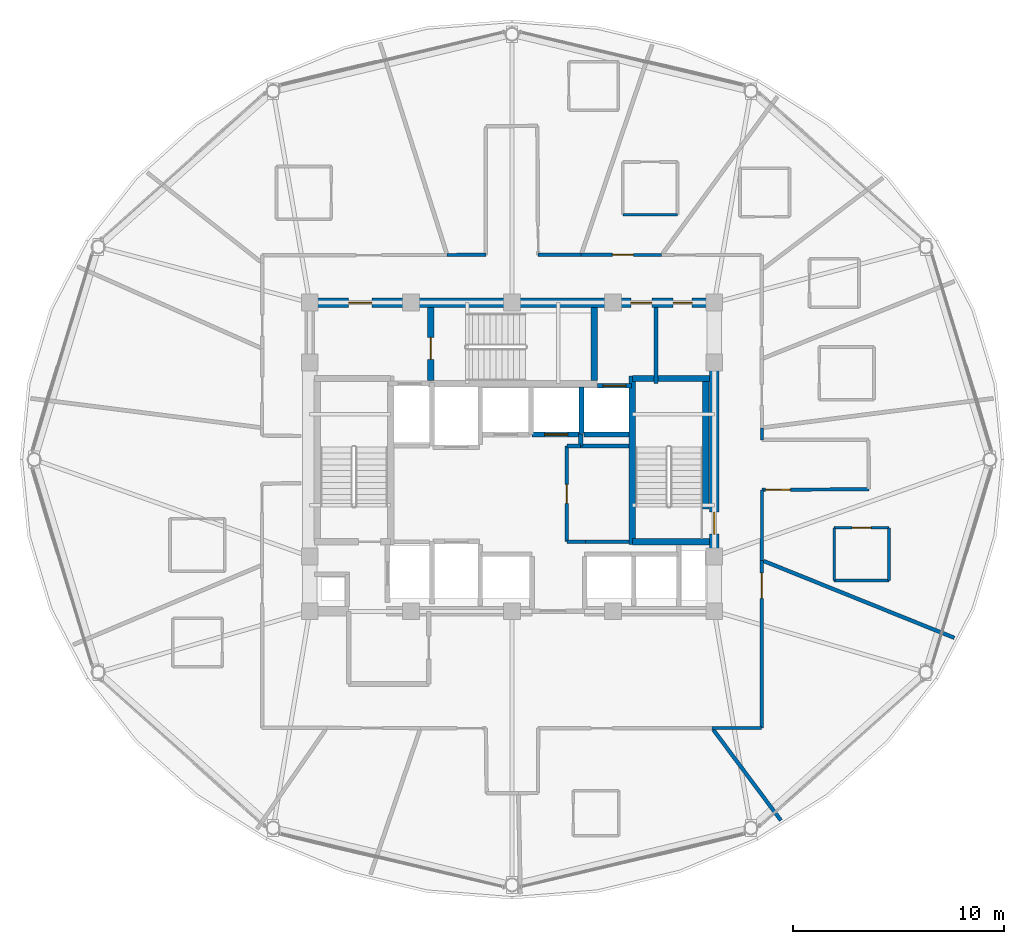
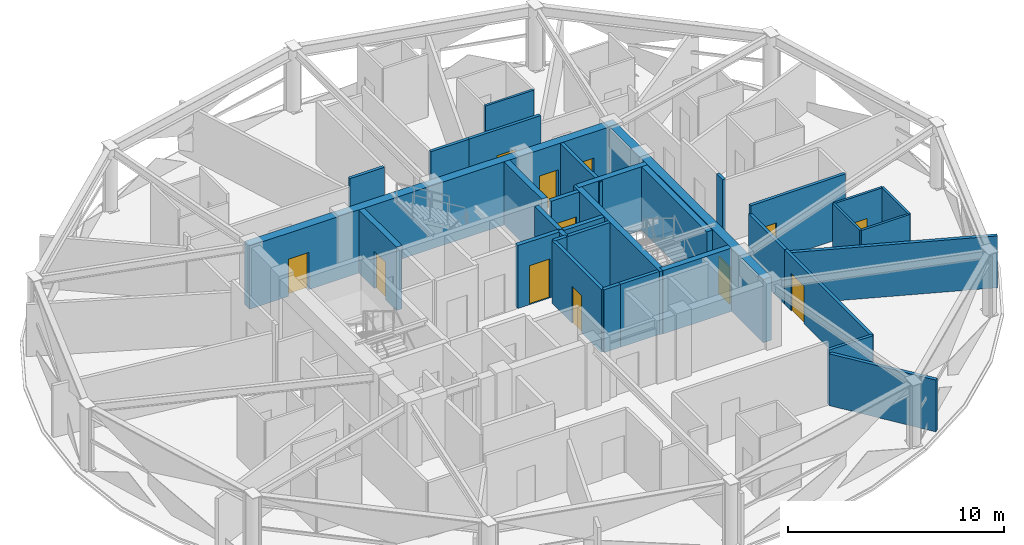
# One storey, part 24 of 30: 34 walls, 12 doors, 12 openings.
"""IFC4 building model written with IfcOpenShell, lengths in metres."""

from ifc_helpers import new_model, si_unit, direction, frame, frame_2d, origin, place, context, subcontext, project, spatial, rectangle, extrude, material, layer, layer_set, type_object, element, fill, save


model = new_model("IFC4")

# Units and contexts
model_context = context("Model", 3, precision=1e-05, world=origin(), true_north=direction((0.0, 1.0)))
body_context = subcontext(model_context, "Body", "Model", "MODEL_VIEW")
ifc_project = project(units=[si_unit("LENGTHUNIT", "METRE"), si_unit("AREAUNIT", "SQUARE_METRE"), si_unit("VOLUMEUNIT", "CUBIC_METRE"), si_unit("PLANEANGLEUNIT", "RADIAN"), si_unit("MASSUNIT", "GRAM", prefix="KILO")], contexts=[model_context])

# Site, building, storey
site_placement = place(None, origin())
site = spatial("IfcSite", under=ifc_project, at=site_placement, CompositionType="ELEMENT")
building_placement = place(site_placement, origin())
building = spatial("IfcBuilding", under=site, at=building_placement, Name="Vantalir Tower", CompositionType="ELEMENT")
storey_placement = place(building_placement, frame((0.0, 0.0, 193.64990234375)))
storey = spatial("IfcBuildingStorey", under=building, at=storey_placement, Name="L48", CompositionType="ELEMENT", Elevation=193.64990234375)

# Walls
ifc_material_1 = material(Name="Moisture-resistant en-suite partition", Category="gypsum")
ifc_layer_1 = layer(ifc_material_1, 0.125)
ifc_layer_set_1 = layer_set([ifc_layer_1], Name="Moisture-resistant en-suite partition")
wall_type_1 = type_object("IfcWallType", Name="WL-BATH-125", PredefinedType="PARTITIONING", material=ifc_layer_set_1)
wall_1_placement = place(storey_placement, frame((36.757080078125, 36.625, 0.0), z_axis=(0.0, 0.0, 1.0), x_axis=(1.0, 0.0, 0.0)))
element("IfcWall", 1, at=wall_1_placement, inside=storey, type_object=wall_type_1, Name="L48 En-suite 04 South Wall", PredefinedType="PARTITIONING", context=body_context, shape_type="SweptSolid", body=[
    extrude(rectangle(XDim=2.599853515625, YDim=0.125, at=frame_2d((1.2998046875, 0.0))), origin(), (0.0, 0.0, 1.0), 3.550048828125),
])
wall_2_placement = place(storey_placement, frame((46.7939453125, 19.260986328125, 0.0), z_axis=(0.0, 0.0, 1.0), x_axis=(1.0, 0.0, 0.0)))
element("IfcWall", 2, at=wall_2_placement, inside=storey, type_object=wall_type_1, Name="L48 En-suite 15 South Wall", PredefinedType="PARTITIONING", context=body_context, shape_type="SweptSolid", body=[
    extrude(rectangle(XDim=2.60009765625, YDim=0.125, at=frame_2d((1.300048828125, 0.0))), origin(), (0.0, 0.0, 1.0), 3.550048828125),
])

# Wall, opening, door
wall_3_placement = place(storey_placement, frame((46.7939453125, 21.760986328125, 0.0), z_axis=(0.0, 0.0, 1.0), x_axis=(1.0, 0.0, 0.0)))
wall_3 = element("IfcWall", 3, at=wall_3_placement, inside=storey, type_object=wall_type_1, Name="L48 En-suite 15 North Wall", PredefinedType="PARTITIONING", context=body_context, shape_type="SweptSolid", body=[
    extrude(rectangle(XDim=2.60009765625, YDim=0.125, at=frame_2d((1.300048828125, 0.0))), origin(), (0.0, 0.0, 1.0), 3.550048828125),
])
opening_1_placement = place(wall_3_placement, frame((0.85009765625, 0.0, 0.0)))
opening_1 = element("IfcOpeningElement", 4, at=opening_1_placement, cuts=wall_3, Name="Opening D-WC", PredefinedType="OPENING", context=body_context, shape_type="SweptSolid", body=[
    extrude(rectangle(XDim=0.89990234375, YDim=2.10009765625, at=frame_2d((0.449951171875, 1.050048828125))), frame((0.0, 0.072509765625, 0.0), z_axis=(0.0, -1.0, 0.0), x_axis=(1.0, 0.0, 0.0)), (0.0, 0.0, 1.0), 0.14501953125),
])
ifc_material_2 = material(Name="Moisture-resistant hardwood door", Category="wood")
door_type_1 = type_object("IfcDoorType", Name="DR-ENSUITE-900", OperationType="NOTDEFINED", PredefinedType="DOOR", material=ifc_material_2)
door_1_placement = place(opening_1_placement, frame((0.89990234375, 0.0, 0.0), z_axis=(0.0, 0.0, 1.0), x_axis=(-1.0, 0.0, 0.0)))
door_1 = element("IfcDoor", 5, at=door_1_placement, inside=storey, type_object=door_type_1, Name="L48 En-suite 15 Door", OperationType="SINGLE_SWING_RIGHT", OverallHeight=2.10009765625, OverallWidth=0.89990234375, PredefinedType="DOOR", context=body_context, shape_type="SweptSolid", body=[
    extrude(rectangle(XDim=0.89990234375, YDim=2.10009765625, at=frame_2d((0.449951171875, 1.050048828125))), frame((0.0, 0.02490234375, 0.0), z_axis=(0.0, -1.0, 0.0), x_axis=(1.0, 0.0, 0.0)), (0.0, 0.0, 1.0), 0.050048828125),
])
fill(opening_1, door_1)

# Walls
for number, where, z_axis, x_axis, name in (
    (6, (46.7939453125, 19.260986328125, 0.0), (0.0, 0.0, 1.0), (0.0, 1.0, 0.0), "L48 En-suite 15 West Wall"),
    (7, (49.39404296875, 19.260986328125, 0.0), (0.0, 0.0, 1.0), (0.0, 1.0, 0.0), "L48 En-suite 15 East Wall"),
):
    element("IfcWall", number, at=place(storey_placement, frame(where, z_axis=z_axis, x_axis=x_axis)), inside=storey, type_object=wall_type_1, Name=name, PredefinedType="PARTITIONING", context=body_context, shape_type="SweptSolid", body=[
        extrude(rectangle(XDim=2.5, YDim=0.125, at=frame_2d((1.25, 0.0))), origin(), (0.0, 0.0, 1.0), 3.550048828125),
    ])

# Wall, openings, doors
ifc_material_3 = material(Name="Concrete C50/60", Category="concrete")
ifc_layer_2 = layer(ifc_material_3, 0.449951171875)
ifc_layer_set_2 = layer_set([ifc_layer_2], Name="Concrete C50/60")
wall_type_2 = type_object("IfcWallType", Name="WL-CORE-450", PredefinedType="SHEAR", material=ifc_layer_set_2)
wall_4_placement = place(storey_placement, frame((21.675048828125, 32.449951171875, 0.0), z_axis=(0.0, 0.0, 1.0), x_axis=(1.0, 0.0, 0.0)))
wall_4 = element("IfcWall", 8, at=wall_4_placement, inside=storey, type_object=wall_type_2, Name="L48 Core Shear Wall North", PredefinedType="SHEAR", context=body_context, shape_type="SweptSolid", body=[
    extrude(rectangle(XDim=19.64990234375, YDim=0.449951171875, at=frame_2d((9.824951171875, 0.0))), origin(), (0.0, 0.0, 1.0), 3.570068359375),
])
opening_2_placement = place(wall_4_placement, frame((2.074951171875, 0.0, 0.0)))
opening_2 = element("IfcOpeningElement", 9, at=opening_2_placement, cuts=wall_4, Name="Opening D-FFL", PredefinedType="OPENING", context=body_context, shape_type="SweptSolid", body=[
    extrude(rectangle(XDim=1.10009765625, YDim=2.10009765625, at=frame_2d((0.550048828125, 1.050048828125))), frame((0.0, 0.23486328125, 0.0), z_axis=(0.0, -1.0, 0.0), x_axis=(1.0, 0.0, 0.0)), (0.0, 0.0, 1.0), 0.469970703125),
])
opening_3_placement = place(wall_4_placement, frame((15.465087890625, 0.0, 0.0)))
opening_3 = element("IfcOpeningElement", 10, at=opening_3_placement, cuts=wall_4, Name="Opening D-GUEST", PredefinedType="OPENING", context=body_context, shape_type="SweptSolid", body=[
    extrude(rectangle(XDim=1.0, YDim=2.10009765625, at=frame_2d((0.5, 1.050048828125))), frame((0.0, 0.23486328125, 0.0), z_axis=(0.0, -1.0, 0.0), x_axis=(1.0, 0.0, 0.0)), (0.0, 0.0, 1.0), 0.469970703125),
])
opening_4_placement = place(wall_4_placement, frame((17.47509765625, 0.0, 0.0)))
opening_4 = element("IfcOpeningElement", 11, at=opening_4_placement, cuts=wall_4, Name="Opening D-CR", PredefinedType="OPENING", context=body_context, shape_type="SweptSolid", body=[
    extrude(rectangle(XDim=0.89990234375, YDim=2.10009765625, at=frame_2d((0.449951171875, 1.050048828125))), frame((0.0, 0.23486328125, 0.0), z_axis=(0.0, -1.0, 0.0), x_axis=(1.0, 0.0, 0.0)), (0.0, 0.0, 1.0), 0.469970703125),
])
ifc_material_4 = material(Name="Fire-rated steel core service door", Category="steel")
door_type_2 = type_object("IfcDoorType", Name="DR-CORE-SERV-900", OperationType="NOTDEFINED", PredefinedType="DOOR", material=ifc_material_4)
door_2_placement = place(opening_4_placement, frame((0.89990234375, 0.0, 0.0), z_axis=(0.0, 0.0, 1.0), x_axis=(-1.0, 0.0, 0.0)))
door_2 = element("IfcDoor", 12, at=door_2_placement, inside=storey, type_object=door_type_2, Name="L48 Housekeeping and Linen Room Door", OperationType="SINGLE_SWING_RIGHT", OverallHeight=2.10009765625, OverallWidth=0.89990234375, PredefinedType="DOOR", context=body_context, shape_type="SweptSolid", body=[
    extrude(rectangle(XDim=0.89990234375, YDim=2.10009765625, at=frame_2d((0.449951171875, 1.050048828125))), frame((0.0, 0.02490234375, 0.0), z_axis=(0.0, -1.0, 0.0), x_axis=(1.0, 0.0, 0.0)), (0.0, 0.0, 1.0), 0.050048828125),
])
fill(opening_4, door_2)
ifc_material_5 = material(Name="Fire-rated acoustic steel door", Category="steel")
door_type_3 = type_object("IfcDoorType", Name="DR-FIRE-LOBBY-1100", OperationType="NOTDEFINED", PredefinedType="DOOR", material=ifc_material_5)
door_3_placement = place(opening_2_placement, frame((1.10009765625, 0.0, 0.0), z_axis=(0.0, 0.0, 1.0), x_axis=(-1.0, 0.0, 0.0)))
door_3 = element("IfcDoor", 13, at=door_3_placement, inside=storey, type_object=door_type_3, Name="L48 Firefighting Lobby East Access Door", OperationType="SINGLE_SWING_RIGHT", OverallHeight=2.10009765625, OverallWidth=1.10009765625, PredefinedType="DOOR", context=body_context, shape_type="SweptSolid", body=[
    extrude(rectangle(XDim=1.10009765625, YDim=2.10009765625, at=frame_2d((0.550048828125, 1.050048828125))), frame((0.0, 0.02490234375, 0.0), z_axis=(0.0, -1.0, 0.0), x_axis=(1.0, 0.0, 0.0)), (0.0, 0.0, 1.0), 0.050048828125),
])
fill(opening_2, door_3)
ifc_material_6 = material(Name="Solid-core teak veneer acoustic fire door", Category="wood")
door_type_4 = type_object("IfcDoorType", Name="DR-GUEST-ENTRY-1000", OperationType="NOTDEFINED", PredefinedType="DOOR", material=ifc_material_6)
door_4_placement = place(opening_3_placement, frame((1.0, 0.0, 0.0), z_axis=(0.0, 0.0, 1.0), x_axis=(-1.0, 0.0, 0.0)))
door_4 = element("IfcDoor", 14, at=door_4_placement, inside=storey, type_object=door_type_4, Name="L48 High-Rise Lift Lobby Door", OperationType="SINGLE_SWING_LEFT", OverallHeight=2.10009765625, OverallWidth=1.0, PredefinedType="DOOR", context=body_context, shape_type="SweptSolid", body=[
    extrude(rectangle(XDim=1.0, YDim=2.10009765625, at=frame_2d((0.5, 1.050048828125))), frame((0.0, 0.02490234375, 0.0), z_axis=(0.0, -1.0, 0.0), x_axis=(1.0, 0.0, 0.0)), (0.0, 0.0, 1.0), 0.050048828125),
])
fill(opening_3, door_4)

# Wall, opening, door
wall_5_placement = place(storey_placement, frame((41.10009765625, 18.02490234375, 0.0), z_axis=(0.0, 0.0, 1.0), x_axis=(0.0, 1.0, 0.0)))
wall_5 = element("IfcWall", 15, at=wall_5_placement, inside=storey, type_object=wall_type_2, Name="L48 Core Shear Wall East", PredefinedType="SHEAR", context=body_context, shape_type="SweptSolid", body=[
    extrude(rectangle(XDim=14.2001953125, YDim=0.449951171875, at=frame_2d((7.10009765625, 0.0))), origin(), (0.0, 0.0, 1.0), 3.570068359375),
])
opening_5_placement = place(wall_5_placement, frame((3.43505859375, 0.0, 0.0)))
opening_5 = element("IfcOpeningElement", 16, at=opening_5_placement, cuts=wall_5, Name="Opening D-ST", PredefinedType="OPENING", context=body_context, shape_type="SweptSolid", body=[
    extrude(rectangle(XDim=1.050048828125, YDim=2.10009765625, at=frame_2d((0.52490234375, 1.050048828125))), frame((0.0, 0.23486328125, 0.0), z_axis=(0.0, -1.0, 0.0), x_axis=(1.0, 0.0, 0.0)), (0.0, 0.0, 1.0), 0.469970703125),
])
ifc_material_7 = material(Name="Fire-rated steel door leaf", Category="steel")
door_type_5 = type_object("IfcDoorType", Name="DR-FIRE-STAIR-1050", OperationType="NOTDEFINED", PredefinedType="DOOR", material=ifc_material_7)
door_5_placement = place(opening_5_placement, origin())
door_5 = element("IfcDoor", 17, at=door_5_placement, inside=storey, type_object=door_type_5, Name="L48 Exit Stair ST2 Fire Door", OperationType="SINGLE_SWING_LEFT", OverallHeight=2.10009765625, OverallWidth=1.050048828125, PredefinedType="DOOR", context=body_context, shape_type="SweptSolid", body=[
    extrude(rectangle(XDim=1.050048828125, YDim=2.10009765625, at=frame_2d((0.52490234375, 1.050048828125))), frame((0.0, 0.02490234375, 0.0), z_axis=(0.0, -1.0, 0.0), x_axis=(1.0, 0.0, 0.0)), (0.0, 0.0, 1.0), 0.050048828125),
])
fill(opening_5, door_5)

# Walls
ifc_material_8 = material(Name="Fire-rated hotel corridor acoustic partition", Category="gypsum")
ifc_layer_3 = layer(ifc_material_8, 0.159912109375)
ifc_layer_set_3 = layer_set([ifc_layer_3], Name="Fire-rated hotel corridor acoustic partition")
wall_type_3 = type_object("IfcWallType", Name="WL-CORR-160", PredefinedType="PARTITIONING", material=ifc_layer_set_3)
wall_6_placement = place(storey_placement, frame((28.423095703125, 34.7119140625, 0.0), z_axis=(0.0, 0.0, 1.0), x_axis=(0.999998507349, 0.00172780178, 0.0)))
element("IfcWall", 18, at=wall_6_placement, inside=storey, type_object=wall_type_3, Name="L48 Corridor Partition 07", PredefinedType="PARTITIONING", context=body_context, shape_type="SweptSolid", body=[
    extrude(rectangle(XDim=1.8369140625, YDim=0.159912109375, at=frame_2d((0.91845703125, 0.0))), origin(), (0.0, 0.0, 1.0), 3.550048828125),
])
wall_7_placement = place(storey_placement, frame((32.739990234375, 34.715087890625, 0.0), z_axis=(0.0, 0.0, 1.0), x_axis=(0.999999885534, -0.000478468845, 0.0)))
element("IfcWall", 19, at=wall_7_placement, inside=storey, type_object=wall_type_3, Name="L48 Corridor Partition 11", PredefinedType="PARTITIONING", context=body_context, shape_type="SweptSolid", body=[
    extrude(rectangle(XDim=2.041015625, YDim=0.159912109375, at=frame_2d((1.0205078125, 0.0))), origin(), (0.0, 0.0, 1.0), 3.550048828125),
])

# Wall, opening, door
wall_8_placement = place(storey_placement, frame((34.781005859375, 34.714111328125, 0.0), z_axis=(0.0, 0.0, 1.0), x_axis=(0.999999654861, -0.000830829904, 0.0)))
wall_8 = element("IfcWall", 20, at=wall_8_placement, inside=storey, type_object=wall_type_3, Name="L48 Corridor Partition 12", PredefinedType="PARTITIONING", context=body_context, shape_type="SweptSolid", body=[
    extrude(rectangle(XDim=3.820068359375, YDim=0.159912109375, at=frame_2d((1.91015625, 0.0))), origin(), (0.0, 0.0, 1.0), 3.550048828125),
])
opening_6_placement = place(wall_8_placement, frame((1.48388671875, 0.0, 0.0)))
opening_6 = element("IfcOpeningElement", 21, at=opening_6_placement, cuts=wall_8, Name="Opening D-GUEST", PredefinedType="OPENING", context=body_context, shape_type="SweptSolid", body=[
    extrude(rectangle(XDim=1.0, YDim=2.10009765625, at=frame_2d((0.5, 1.050048828125))), frame((0.0, 0.08984375, 0.0), z_axis=(0.0, -1.0, 0.0), x_axis=(1.0, 0.0, 0.0)), (0.0, 0.0, 1.0), 0.179931640625),
])
door_6_placement = place(opening_6_placement, origin())
door_6 = element("IfcDoor", 22, at=door_6_placement, inside=storey, type_object=door_type_4, Name="L48 Twin Queen Hotel Room 04 Door", OperationType="SINGLE_SWING_RIGHT", OverallHeight=2.10009765625, OverallWidth=1.0, PredefinedType="DOOR", context=body_context, shape_type="SweptSolid", body=[
    extrude(rectangle(XDim=1.0, YDim=2.10009765625, at=frame_2d((0.5, 1.050048828125))), frame((0.0, 0.02490234375, 0.0), z_axis=(0.0, -1.0, 0.0), x_axis=(1.0, 0.0, 0.0)), (0.0, 0.0, 1.0), 0.050048828125),
])
fill(opening_6, door_6)

# Wall
wall_9_placement = place(storey_placement, frame((43.364013671875, 26.509033203125, 0.0), z_axis=(0.0, 0.0, 1.0), x_axis=(0.001715999189, -0.999998527672, 0.0)))
element("IfcWall", 23, at=wall_9_placement, inside=storey, type_object=wall_type_3, Name="L48 Corridor Partition 17", PredefinedType="PARTITIONING", context=body_context, shape_type="SweptSolid", body=[
    extrude(rectangle(XDim=0.569091796875, YDim=0.159912109375, at=frame_2d((0.28466796875, 0.0))), origin(), (0.0, 0.0, 1.0), 3.550048828125),
])

# Wall, opening, door
wall_10_placement = place(storey_placement, frame((48.43994140625, 23.595947265625, 0.0), z_axis=(0.0, 0.0, 1.0), x_axis=(-0.999974996273, -0.007071550702, 0.0)))
wall_10 = element("IfcWall", 24, at=wall_10_placement, inside=storey, type_object=wall_type_3, Name="L48 Corridor Partition 20", PredefinedType="PARTITIONING", context=body_context, shape_type="SweptSolid", body=[
    extrude(rectangle(XDim=5.0751953125, YDim=0.159912109375, at=frame_2d((2.53759765625, 0.0))), origin(), (0.0, 0.0, 1.0), 3.550048828125),
])
opening_7_placement = place(wall_10_placement, frame((3.715087890625, 0.0, 0.0)))
opening_7 = element("IfcOpeningElement", 25, at=opening_7_placement, cuts=wall_10, Name="Opening D-STE", PredefinedType="OPENING", context=body_context, shape_type="SweptSolid", body=[
    extrude(rectangle(XDim=1.199951171875, YDim=2.10009765625, at=frame_2d((0.60009765625, 1.050048828125))), frame((0.0, 0.08984375, 0.0), z_axis=(0.0, -1.0, 0.0), x_axis=(1.0, 0.0, 0.0)), (0.0, 0.0, 1.0), 0.179931640625),
])
ifc_material_9 = material(Name="Solid-core teak veneer suite entrance door", Category="wood")
door_type_6 = type_object("IfcDoorType", Name="DR-SUITE-ENTRY-1200", OperationType="NOTDEFINED", PredefinedType="DOOR", material=ifc_material_9)
door_7_placement = place(opening_7_placement, origin())
door_7 = element("IfcDoor", 26, at=door_7_placement, inside=storey, type_object=door_type_6, Name="L48 Corner Panorama Hotel Suite 15 Door", OperationType="SINGLE_SWING_LEFT", OverallHeight=2.10009765625, OverallWidth=1.199951171875, PredefinedType="DOOR", context=body_context, shape_type="SweptSolid", body=[
    extrude(rectangle(XDim=1.199951171875, YDim=2.10009765625, at=frame_2d((0.60009765625, 1.050048828125))), frame((0.0, 0.02490234375, 0.0), z_axis=(0.0, -1.0, 0.0), x_axis=(1.0, 0.0, 0.0)), (0.0, 0.0, 1.0), 0.050048828125),
])
fill(opening_7, door_7)

# Wall
wall_11_placement = place(storey_placement, frame((43.364990234375, 23.56005859375, 0.0), z_axis=(0.0, 0.0, 1.0), x_axis=(-0.001169504353, -0.99999931613, 0.0)))
element("IfcWall", 27, at=wall_11_placement, inside=storey, type_object=wall_type_3, Name="L48 Corridor Partition 21", PredefinedType="PARTITIONING", context=body_context, shape_type="SweptSolid", body=[
    extrude(rectangle(XDim=3.340087890625, YDim=0.159912109375, at=frame_2d((1.669921875, 0.0))), origin(), (0.0, 0.0, 1.0), 3.0810546875),
])

# Wall, opening, door
wall_12_placement = place(storey_placement, frame((43.361083984375, 20.219970703125, 0.0), z_axis=(0.0, 0.0, 1.0), x_axis=(-0.001380028127, -0.999999047761, 0.0)))
wall_12 = element("IfcWall", 28, at=wall_12_placement, inside=storey, type_object=wall_type_3, Name="L48 Corridor Partition 22", PredefinedType="PARTITIONING", context=body_context, shape_type="SweptSolid", body=[
    extrude(rectangle(XDim=7.9609375, YDim=0.159912109375, at=frame_2d((3.98046875, 0.0))), origin(), (0.0, 0.0, 1.0), 3.0810546875),
])
opening_8_placement = place(wall_12_placement, frame((0.60888671875, 0.0, 0.0)))
opening_8 = element("IfcOpeningElement", 29, at=opening_8_placement, cuts=wall_12, Name="Opening D-STE", PredefinedType="OPENING", context=body_context, shape_type="SweptSolid", body=[
    extrude(rectangle(XDim=1.199951171875, YDim=2.10009765625, at=frame_2d((0.60009765625, 1.050048828125))), frame((0.0, 0.08984375, 0.0), z_axis=(0.0, -1.0, 0.0), x_axis=(1.0, 0.0, 0.0)), (0.0, 0.0, 1.0), 0.179931640625),
])
door_8_placement = place(opening_8_placement, origin())
door_8 = element("IfcDoor", 30, at=door_8_placement, inside=storey, type_object=door_type_6, Name="L48 Club Reading Lounge 14 Door", OperationType="SINGLE_SWING_RIGHT", OverallHeight=2.10009765625, OverallWidth=1.199951171875, PredefinedType="DOOR", context=body_context, shape_type="SweptSolid", body=[
    extrude(rectangle(XDim=1.199951171875, YDim=2.10009765625, at=frame_2d((0.60009765625, 1.050048828125))), frame((0.0, 0.02490234375, 0.0), z_axis=(0.0, -1.0, 0.0), x_axis=(1.0, 0.0, 0.0)), (0.0, 0.0, 1.0), 0.050048828125),
])
fill(opening_8, door_8)

# Walls
wall_13_placement = place(storey_placement, frame((43.35009765625, 12.259033203125, 0.0), z_axis=(0.0, 0.0, 1.0), x_axis=(-0.999999655796, -0.000829703095, 0.0)))
element("IfcWall", 31, at=wall_13_placement, inside=storey, type_object=wall_type_3, Name="L48 Corridor Partition 23", PredefinedType="PARTITIONING", context=body_context, shape_type="SweptSolid", body=[
    extrude(rectangle(XDim=2.35400390625, YDim=0.159912109375, at=frame_2d((1.177001953125, 0.0))), origin(), (0.0, 0.0, 1.0), 3.0810546875),
])
ifc_material_10 = material(Name="Concrete blockwork with fireboard lining", Category="masonry")
ifc_layer_4 = layer(ifc_material_10, 0.219970703125)
ifc_layer_set_4 = layer_set([ifc_layer_4], Name="Concrete blockwork with fireboard lining")
wall_type_4 = type_object("IfcWallType", Name="WL-FFL-220", PredefinedType="PARTITIONING", material=ifc_layer_set_4)
wall_14_placement = place(storey_placement, frame((34.800048828125, 26.22998046875, 0.0), z_axis=(0.0, 0.0, 1.0), x_axis=(0.0, 1.0, 0.0)))
element("IfcWall", 32, at=wall_14_placement, inside=storey, type_object=wall_type_4, Name="L48 High-Rise Lift PL-H2/H3 Shaft Divider", PredefinedType="PARTITIONING", context=body_context, shape_type="SweptSolid", body=[
    extrude(rectangle(XDim=2.2099609375, YDim=0.219970703125, at=frame_2d((1.10498046875, 0.0))), origin(), (0.0, 0.0, 1.0), 3.545166015625),
])
wall_15_placement = place(storey_placement, frame((34.909912109375, 26.18994140625, 0.0), z_axis=(0.0, 0.0, 1.0), x_axis=(1.0, 0.0, 0.0)))
element("IfcWall", 33, at=wall_15_placement, inside=storey, type_object=wall_type_4, Name="L48 High-Rise Lift PL-H3 Rear Shaft Wall", PredefinedType="PARTITIONING", context=body_context, shape_type="SweptSolid", body=[
    extrude(rectangle(XDim=2.14013671875, YDim=0.219970703125, at=frame_2d((1.070068359375, 0.0))), origin(), (0.0, 0.0, 1.0), 3.545166015625),
])

# Wall, opening, door
wall_16_placement = place(storey_placement, frame((32.43994140625, 26.18994140625, 0.0), z_axis=(0.0, 0.0, 1.0), x_axis=(1.0, 0.0, 0.0)))
wall_16 = element("IfcWall", 34, at=wall_16_placement, inside=storey, type_object=wall_type_4, Name="L48 Lift PL-H2 Shaft Front Wall", PredefinedType="PARTITIONING", context=body_context, shape_type="SweptSolid", body=[
    extrude(rectangle(XDim=2.320068359375, YDim=0.219970703125, at=frame_2d((1.16015625, 0.0))), origin(), (0.0, 0.0, 1.0), 3.550048828125),
])
opening_9_placement = place(wall_16_placement, frame((0.610107421875, 0.0, 0.0)))
opening_9 = element("IfcOpeningElement", 35, at=opening_9_placement, cuts=wall_16, Name="Opening LD-PL-H2", PredefinedType="OPENING", context=body_context, shape_type="SweptSolid", body=[
    extrude(rectangle(XDim=1.10009765625, YDim=2.199951171875, at=frame_2d((0.550048828125, 1.10009765625))), frame((0.0, 0.119873046875, 0.0), z_axis=(0.0, -1.0, 0.0), x_axis=(1.0, 0.0, 0.0)), (0.0, 0.0, 1.0), 0.239990234375),
])
ifc_material_11 = material(Name="Brushed stainless-steel sliding lift landing door", Category="steel")
door_type_7 = type_object("IfcDoorType", Name="DR-LIFT-LANDING-1100", OperationType="DOUBLE_DOOR_SLIDING", PredefinedType="DOOR", material=ifc_material_11)
door_9_placement = place(opening_9_placement, frame((1.10009765625, 0.0, 0.0), z_axis=(0.0, 0.0, 1.0), x_axis=(-1.0, 0.0, 0.0)))
door_9 = element("IfcDoor", 36, at=door_9_placement, inside=storey, type_object=door_type_7, Name="L48 Lift Landing Door PL-H2", OperationType="DOUBLE_DOOR_SLIDING", OverallHeight=2.199951171875, OverallWidth=1.10009765625, PredefinedType="DOOR", context=body_context, shape_type="SweptSolid", body=[
    extrude(rectangle(XDim=1.10009765625, YDim=2.199951171875, at=frame_2d((0.550048828125, 1.10009765625))), frame((0.0, 0.02490234375, 0.0), z_axis=(0.0, -1.0, 0.0), x_axis=(1.0, 0.0, 0.0)), (0.0, 0.0, 1.0), 0.050048828125),
])
fill(opening_9, door_9)

wall_17_placement = place(storey_placement, frame((35.56005859375, 28.510009765625, 0.0), z_axis=(0.0, 0.0, 1.0), x_axis=(1.0, 0.0, 0.0)))
wall_17 = element("IfcWall", 37, at=wall_17_placement, inside=storey, type_object=wall_type_4, Name="L48 Lift PL-H3 Shaft Front Wall", PredefinedType="PARTITIONING", context=body_context, shape_type="SweptSolid", body=[
    extrude(rectangle(XDim=1.599853515625, YDim=0.219970703125, at=frame_2d((0.7998046875, 0.0))), origin(), (0.0, 0.0, 1.0), 3.550048828125),
])
opening_10_placement = place(wall_17_placement, frame((0.25, 0.0, 0.0)))
opening_10 = element("IfcOpeningElement", 38, at=opening_10_placement, cuts=wall_17, Name="Opening LD-PL-H3", PredefinedType="OPENING", context=body_context, shape_type="SweptSolid", body=[
    extrude(rectangle(XDim=1.10009765625, YDim=2.199951171875, at=frame_2d((0.550048828125, 1.10009765625))), frame((0.0, 0.119873046875, 0.0), z_axis=(0.0, -1.0, 0.0), x_axis=(1.0, 0.0, 0.0)), (0.0, 0.0, 1.0), 0.239990234375),
])
door_10_placement = place(opening_10_placement, origin())
door_10 = element("IfcDoor", 39, at=door_10_placement, inside=storey, type_object=door_type_7, Name="L48 Lift Landing Door PL-H3", OperationType="DOUBLE_DOOR_SLIDING", OverallHeight=2.199951171875, OverallWidth=1.10009765625, PredefinedType="DOOR", context=body_context, shape_type="SweptSolid", body=[
    extrude(rectangle(XDim=1.10009765625, YDim=2.199951171875, at=frame_2d((0.550048828125, 1.10009765625))), frame((0.0, 0.02490234375, 0.0), z_axis=(0.0, -1.0, 0.0), x_axis=(1.0, 0.0, 0.0)), (0.0, 0.0, 1.0), 0.050048828125),
])
fill(opening_10, door_10)

# Walls
wall_18_placement = place(storey_placement, frame((34.760009765625, 25.64990234375, 0.0), z_axis=(0.0, 0.0, 1.0), x_axis=(0.0, 1.0, 0.0)))
element("IfcWall", 40, at=wall_18_placement, inside=storey, type_object=wall_type_4, Name="L48 High-Rise Shaft Shoulder Wall", PredefinedType="PARTITIONING", context=body_context, shape_type="SweptSolid", body=[
    extrude(rectangle(XDim=0.570068359375, YDim=0.219970703125, at=frame_2d((0.28515625, 0.0))), origin(), (0.0, 0.0, 1.0), 3.550048828125),
])
ifc_material_12 = material(Name="Twin-stud acoustic fire-rated gypsum partition", Category="gypsum")
ifc_layer_5 = layer(ifc_material_12, 0.179931640625)
ifc_layer_set_5 = layer_set([ifc_layer_5], Name="Twin-stud acoustic fire-rated gypsum partition")
wall_type_5 = type_object("IfcWallType", Name="WL-GUEST-180", PredefinedType="PARTITIONING", material=ifc_layer_set_5)
wall_19_placement = place(storey_placement, frame((34.97998046875, 21.10009765625, 0.0), z_axis=(0.0, 0.0, 1.0), x_axis=(1.0, 0.0, 0.0)))
element("IfcWall", 41, at=wall_19_placement, inside=storey, type_object=wall_type_5, Name="L48 Freed East Core South Wall", PredefinedType="PARTITIONING", context=body_context, shape_type="SweptSolid", body=[
    extrude(rectangle(XDim=2.080078125, YDim=0.179931640625, at=frame_2d((1.0400390625, 0.0))), origin(), (0.0, 0.0, 1.0), 3.550048828125),
])
wall_20_placement = place(storey_placement, frame((34.719970703125, 25.64990234375, 0.0), z_axis=(0.0, 0.0, 1.0), x_axis=(1.0, 0.0, 0.0)))
element("IfcWall", 42, at=wall_20_placement, inside=storey, type_object=wall_type_5, Name="L48 Freed East Core North Wall", PredefinedType="PARTITIONING", context=body_context, shape_type="SweptSolid", body=[
    extrude(rectangle(XDim=2.340087890625, YDim=0.179931640625, at=frame_2d((1.169921875, 0.0))), origin(), (0.0, 0.0, 1.0), 3.550048828125),
])
wall_21_placement = place(storey_placement, frame((34.10009765625, 21.10009765625, 0.0), z_axis=(0.0, 0.0, 1.0), x_axis=(1.0, 0.0, 0.0)))
element("IfcWall", 43, at=wall_21_placement, inside=storey, type_object=wall_type_5, Name="L48 East Core Room South Return", PredefinedType="PARTITIONING", context=body_context, shape_type="SweptSolid", body=[
    extrude(rectangle(XDim=0.8798828125, YDim=0.179931640625, at=frame_2d((0.43994140625, 0.0))), origin(), (0.0, 0.0, 1.0), 3.550048828125),
])
wall_22_placement = place(storey_placement, frame((34.10009765625, 25.64990234375, 0.0), z_axis=(0.0, 0.0, 1.0), x_axis=(1.0, 0.0, 0.0)))
element("IfcWall", 44, at=wall_22_placement, inside=storey, type_object=wall_type_5, Name="L48 East Core Room North Return", PredefinedType="PARTITIONING", context=body_context, shape_type="SweptSolid", body=[
    extrude(rectangle(XDim=0.659912109375, YDim=0.179931640625, at=frame_2d((0.330078125, 0.0))), origin(), (0.0, 0.0, 1.0), 3.550048828125),
])

# Wall, opening, door
wall_23_placement = place(storey_placement, frame((34.10009765625, 21.10009765625, 0.0), z_axis=(0.0, 0.0, 1.0), x_axis=(0.0, 1.0, 0.0)))
wall_23 = element("IfcWall", 45, at=wall_23_placement, inside=storey, type_object=wall_type_5, Name="L48 East Core Room West Wall", PredefinedType="PARTITIONING", context=body_context, shape_type="SweptSolid", body=[
    extrude(rectangle(XDim=4.5498046875, YDim=0.179931640625, at=frame_2d((2.27490234375, 0.0))), origin(), (0.0, 0.0, 1.0), 3.550048828125),
])
opening_11_placement = place(wall_23_placement, frame((1.824951171875, 0.0, 0.0)))
opening_11 = element("IfcOpeningElement", 46, at=opening_11_placement, cuts=wall_23, Name="Opening D-CR", PredefinedType="OPENING", context=body_context, shape_type="SweptSolid", body=[
    extrude(rectangle(XDim=0.89990234375, YDim=2.10009765625, at=frame_2d((0.449951171875, 1.050048828125))), frame((0.0, 0.099853515625, 0.0), z_axis=(0.0, -1.0, 0.0), x_axis=(1.0, 0.0, 0.0)), (0.0, 0.0, 1.0), 0.199951171875),
])
door_11_placement = place(opening_11_placement, frame((0.89990234375, 0.0, 0.0), z_axis=(0.0, 0.0, 1.0), x_axis=(-1.0, 0.0, 0.0)))
door_11 = element("IfcDoor", 47, at=door_11_placement, inside=storey, type_object=door_type_2, Name="L48 Core Linen Store Door", OperationType="SINGLE_SWING_LEFT", OverallHeight=2.10009765625, OverallWidth=0.89990234375, PredefinedType="DOOR", context=body_context, shape_type="SweptSolid", body=[
    extrude(rectangle(XDim=0.89990234375, YDim=2.10009765625, at=frame_2d((0.449951171875, 1.050048828125))), frame((0.0, 0.02490234375, 0.0), z_axis=(0.0, -1.0, 0.0), x_axis=(1.0, 0.0, 0.0)), (0.0, 0.0, 1.0), 0.050048828125),
])
fill(opening_11, door_11)

# Walls
wall_24_placement = place(storey_placement, frame((38.340087890625, 28.6201171875, 0.0), z_axis=(0.0, 0.0, 1.0), x_axis=(0.0, 1.0, 0.0)))
element("IfcWall", 48, at=wall_24_placement, inside=storey, type_object=wall_type_5, Name="L48 High-Rise Lift Lobby East Wall", PredefinedType="PARTITIONING", context=body_context, shape_type="SweptSolid", body=[
    extrude(rectangle(XDim=3.60498046875, YDim=0.179931640625, at=frame_2d((1.802490234375, 0.0))), origin(), (0.0, 0.0, 1.0), 3.550048828125),
])
wall_25_placement = place(storey_placement, frame((41.056884765625, 12.175048828125, 0.0), z_axis=(0.0, 0.0, 1.0), x_axis=(0.597585803219, -0.801804968674, 0.0)))
element("IfcWall", 49, at=wall_25_placement, inside=storey, type_object=wall_type_5, Name="L48 Radial Suite Partition 14", PredefinedType="PARTITIONING", context=body_context, shape_type="SweptSolid", body=[
    extrude(rectangle(XDim=5.36181640625, YDim=0.179931640625, at=frame_2d((2.680908203125, 0.0))), origin(), (0.0, 0.0, 1.0), 2.925048828125),
])
wall_26_placement = place(storey_placement, frame((43.43994140625, 20.18798828125, 0.0), z_axis=(0.0, 0.0, 1.0), x_axis=(0.927518376856, -0.373777554963, 0.0)))
element("IfcWall", 50, at=wall_26_placement, inside=storey, type_object=wall_type_5, Name="L48 Radial Suite Partition 15", PredefinedType="PARTITIONING", context=body_context, shape_type="SweptSolid", body=[
    extrude(rectangle(XDim=9.764892578125, YDim=0.179931640625, at=frame_2d((4.88232421875, 0.0))), origin(), (0.0, 0.0, 1.0), 2.925048828125),
])
ifc_layer_6 = layer(ifc_material_3, 0.300048828125)
ifc_layer_set_6 = layer_set([ifc_layer_6], Name="Concrete C50/60")
wall_type_6 = type_object("IfcWallType", Name="WL-STAIR-300", PredefinedType="SHEAR", material=ifc_layer_set_6)
for number, where, z_axis, x_axis, name in (
    (51, (37.2099609375, 21.10009765625, 0.0), (0.0, 0.0, 1.0), (1.0, 0.0, 0.0), "L48 Stair ST2 South Wall"),
    (52, (37.2099609375, 28.85009765625, 0.0), (0.0, 0.0, 1.0), (1.0, 0.0, 0.0), "L48 Stair ST2 North Wall"),
):
    element("IfcWall", number, at=place(storey_placement, frame(where, z_axis=z_axis, x_axis=x_axis)), inside=storey, type_object=wall_type_6, Name=name, PredefinedType="SHEAR", context=body_context, shape_type="SweptSolid", body=[
        extrude(rectangle(XDim=3.6650390625, YDim=0.300048828125, at=frame_2d((1.83251953125, 0.0))), origin(), (0.0, 0.0, 1.0), 3.570068359375),
    ])
wall_27_placement = place(storey_placement, frame((37.2099609375, 20.97998046875, 0.0), z_axis=(0.0, 0.0, 1.0), x_axis=(0.0, 1.0, 0.0)))
element("IfcWall", 53, at=wall_27_placement, inside=storey, type_object=wall_type_6, Name="L48 Stair ST2 West Wall", PredefinedType="SHEAR", context=body_context, shape_type="SweptSolid", body=[
    extrude(rectangle(XDim=7.989990234375, YDim=0.300048828125, at=frame_2d((3.9951171875, 0.0))), origin(), (0.0, 0.0, 1.0), 3.570068359375),
])
wall_28_placement = place(storey_placement, frame((40.68994140625, 22.64990234375, 0.0), z_axis=(0.0, 0.0, 1.0), x_axis=(0.0, 1.0, 0.0)))
element("IfcWall", 54, at=wall_28_placement, inside=storey, type_object=wall_type_6, Name="L48 Stair ST2 East Liner Wall", PredefinedType="SHEAR", context=body_context, shape_type="SweptSolid", body=[
    extrude(rectangle(XDim=6.2001953125, YDim=0.300048828125, at=frame_2d((3.10009765625, 0.0))), origin(), (0.0, 0.0, 1.0), 3.570068359375),
])

# Wall, opening, door
wall_29_placement = place(storey_placement, frame((27.64990234375, 28.75, 0.0), z_axis=(0.0, 0.0, 1.0), x_axis=(0.0, 1.0, 0.0)))
wall_29 = element("IfcWall", 55, at=wall_29_placement, inside=storey, type_object=wall_type_6, Name="L48 Stair ST3 West Wall", PredefinedType="SHEAR", context=body_context, shape_type="SweptSolid", body=[
    extrude(rectangle(XDim=3.47509765625, YDim=0.300048828125, at=frame_2d((1.737548828125, 0.0))), origin(), (0.0, 0.0, 1.0), 3.570068359375),
])
opening_12_placement = place(wall_29_placement, frame((1.0, 0.0, 0.0)))
opening_12 = element("IfcOpeningElement", 56, at=opening_12_placement, cuts=wall_29, Name="Opening D-ST", PredefinedType="OPENING", context=body_context, shape_type="SweptSolid", body=[
    extrude(rectangle(XDim=1.050048828125, YDim=2.10009765625, at=frame_2d((0.52490234375, 1.050048828125))), frame((0.0, 0.159912109375, 0.0), z_axis=(0.0, -1.0, 0.0), x_axis=(1.0, 0.0, 0.0)), (0.0, 0.0, 1.0), 0.320068359375),
])
door_12_placement = place(opening_12_placement, frame((1.050048828125, 0.0, 0.0), z_axis=(0.0, 0.0, 1.0), x_axis=(-1.0, 0.0, 0.0)))
door_12 = element("IfcDoor", 57, at=door_12_placement, inside=storey, type_object=door_type_5, Name="L48 Exit Stair ST3 Fire Door", OperationType="SINGLE_SWING_LEFT", OverallHeight=2.10009765625, OverallWidth=1.050048828125, PredefinedType="DOOR", context=body_context, shape_type="SweptSolid", body=[
    extrude(rectangle(XDim=1.050048828125, YDim=2.10009765625, at=frame_2d((0.52490234375, 1.050048828125))), frame((0.0, 0.02490234375, 0.0), z_axis=(0.0, -1.0, 0.0), x_axis=(1.0, 0.0, 0.0)), (0.0, 0.0, 1.0), 0.050048828125),
])
fill(opening_12, door_12)

# Wall
wall_30_placement = place(storey_placement, frame((35.39990234375, 28.75, 0.0), z_axis=(0.0, 0.0, 1.0), x_axis=(0.0, 1.0, 0.0)))
element("IfcWall", 58, at=wall_30_placement, inside=storey, type_object=wall_type_6, Name="L48 Stair ST3 East Wall", PredefinedType="SHEAR", context=body_context, shape_type="SweptSolid", body=[
    extrude(rectangle(XDim=3.47509765625, YDim=0.300048828125, at=frame_2d((1.737548828125, 0.0))), origin(), (0.0, 0.0, 1.0), 3.570068359375),
])

save(model, "model.ifc")
